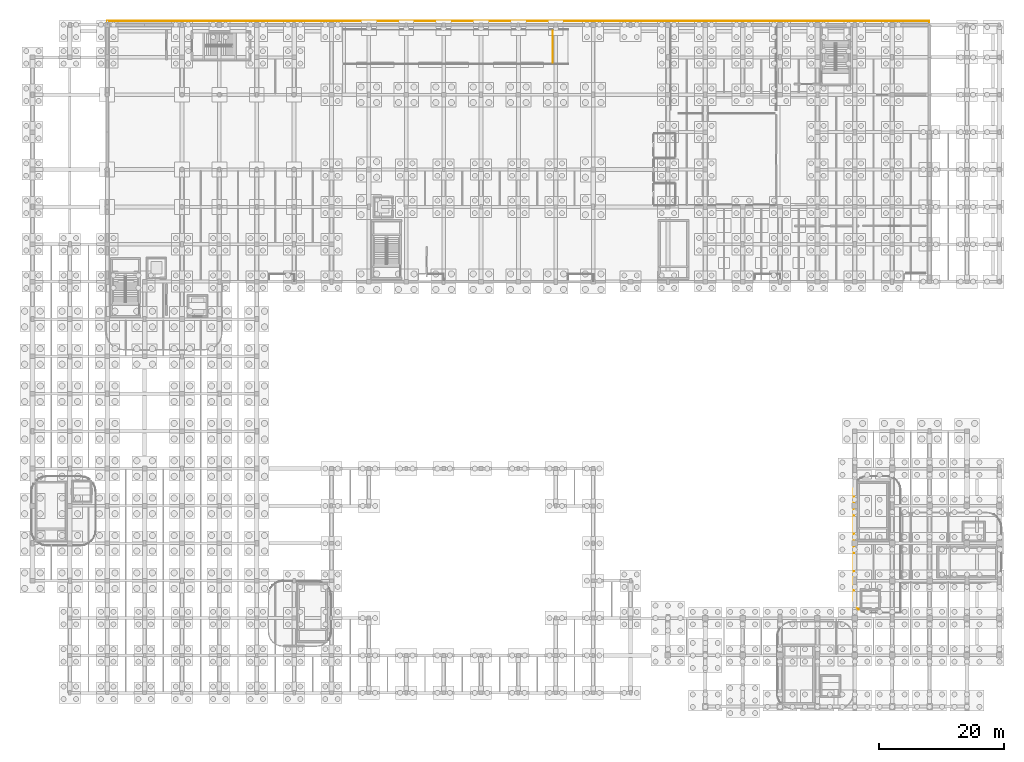
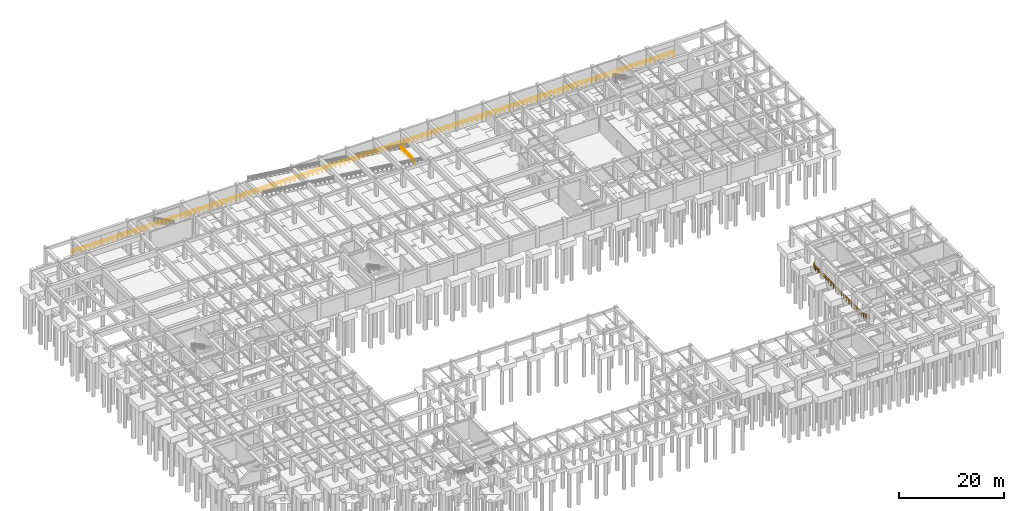
# One storey, part 29 of 32: 3 railings.
"""IFC4 building model written with IfcOpenShell, lengths in metres."""

from ifc_helpers import new_model, si_unit, direction, frame, origin, origin_2d, place, context, subcontext, project, spatial, circle, extrude, material, type_object, element, save


model = new_model("IFC4")

# Units and contexts
model_context = context("Model", 3, precision=1e-05, world=origin(), true_north=direction((0.0, 1.0)))
body_context = subcontext(model_context, "Body", "Model", "MODEL_VIEW")
ifc_project = project(units=[si_unit("LENGTHUNIT", "METRE"), si_unit("AREAUNIT", "SQUARE_METRE"), si_unit("VOLUMEUNIT", "CUBIC_METRE"), si_unit("PLANEANGLEUNIT", "RADIAN"), si_unit("MASSUNIT", "GRAM", prefix="KILO")], contexts=[model_context])

# Site, building, storey
site_placement = place(None, origin())
site = spatial("IfcSite", under=ifc_project, at=site_placement, CompositionType="ELEMENT")
building_placement = place(site_placement, origin())
building = spatial("IfcBuilding", under=site, at=building_placement, Name="Varnakota Square Police Headquarters", CompositionType="ELEMENT")
storey_placement = place(building_placement, frame((0.0, 0.0, -4.5)))
storey = spatial("IfcBuildingStorey", under=building, at=storey_placement, Name="B1", CompositionType="ELEMENT", Elevation=-4.5)

# Railings
ifc_material = material(Name="Galvanised Powder-Coated Steel Guardrail", Category="steel")
railing_type = type_object("IfcRailingType", Name="RL-BAL-1150", PredefinedType="BALUSTRADE", material=ifc_material)
railing_1_placement = place(storey_placement, frame((18.050048828125, 110.85009765625, 0.0)))
element("IfcRailing", 1, at=railing_1_placement, inside=storey, type_object=railing_type, Name="Perimeter edge safety guard GD-AUTO-B1-003", PredefinedType="BALUSTRADE", context=body_context, shape_type="SweptSolid", body=[
    extrude(circle(Radius=0.02392578125, at=origin_2d()), frame((0.0, 0.0, 1.1259765625), z_axis=(1.0, 0.0, 0.0), x_axis=(0.0, 1.0, 0.0)), (0.0, 0.0, 1.0), 131.89990234375),
    extrude(circle(Radius=0.01806640625, at=origin_2d()), frame((0.0, 0.0, 0.63232421875), z_axis=(1.0, 0.0, 0.0), x_axis=(0.0, 1.0, 0.0)), (0.0, 0.0, 1.0), 131.89990234375),
    extrude(circle(Radius=0.02392578125, at=origin_2d()), frame((131.89990234375, 0.0, 1.1259765625), z_axis=(0.0, -1.0, 0.0), x_axis=(1.0, 0.0, 0.0)), (0.0, 0.0, 1.0), 0.300048828125),
    extrude(circle(Radius=0.01806640625, at=origin_2d()), frame((131.89990234375, 0.0, 0.63232421875), z_axis=(0.0, -1.0, 0.0), x_axis=(1.0, 0.0, 0.0)), (0.0, 0.0, 1.0), 0.300048828125),
    extrude(circle(Radius=0.02099609375, at=origin_2d()), origin(), (0.0, 0.0, 1.0), 1.101806640625),
    extrude(circle(Radius=0.02099609375, at=origin_2d()), frame((0.999267578125, 0.0, 0.0)), (0.0, 0.0, 1.0), 1.101806640625),
    extrude(circle(Radius=0.02099609375, at=origin_2d()), frame((1.99853515625, 0.0, 0.0)), (0.0, 0.0, 1.0), 1.101806640625),
    extrude(circle(Radius=0.02099609375, at=origin_2d()), frame((2.997802734375, 0.0, 0.0)), (0.0, 0.0, 1.0), 1.101806640625),
    extrude(circle(Radius=0.02099609375, at=origin_2d()), frame((3.9970703125, 0.0, 0.0)), (0.0, 0.0, 1.0), 1.101806640625),
    extrude(circle(Radius=0.02099609375, at=origin_2d()), frame((4.99609375, 0.0, 0.0)), (0.0, 0.0, 1.0), 1.101806640625),
    extrude(circle(Radius=0.02099609375, at=origin_2d()), frame((5.995361328125, 0.0, 0.0)), (0.0, 0.0, 1.0), 1.101806640625),
    extrude(circle(Radius=0.02099609375, at=origin_2d()), frame((6.99462890625, 0.0, 0.0)), (0.0, 0.0, 1.0), 1.101806640625),
    extrude(circle(Radius=0.02099609375, at=origin_2d()), frame((7.993896484375, 0.0, 0.0)), (0.0, 0.0, 1.0), 1.101806640625),
    extrude(circle(Radius=0.02099609375, at=origin_2d()), frame((8.9931640625, 0.0, 0.0)), (0.0, 0.0, 1.0), 1.101806640625),
    extrude(circle(Radius=0.02099609375, at=origin_2d()), frame((9.992431640625, 0.0, 0.0)), (0.0, 0.0, 1.0), 1.101806640625),
    extrude(circle(Radius=0.02099609375, at=origin_2d()), frame((10.99169921875, 0.0, 0.0)), (0.0, 0.0, 1.0), 1.101806640625),
    extrude(circle(Radius=0.02099609375, at=origin_2d()), frame((11.990966796875, 0.0, 0.0)), (0.0, 0.0, 1.0), 1.101806640625),
    extrude(circle(Radius=0.02099609375, at=origin_2d()), frame((12.990234375, 0.0, 0.0)), (0.0, 0.0, 1.0), 1.101806640625),
    extrude(circle(Radius=0.02099609375, at=origin_2d()), frame((13.989501953125, 0.0, 0.0)), (0.0, 0.0, 1.0), 1.101806640625),
    extrude(circle(Radius=0.02099609375, at=origin_2d()), frame((14.988525390625, 0.0, 0.0)), (0.0, 0.0, 1.0), 1.101806640625),
    extrude(circle(Radius=0.02099609375, at=origin_2d()), frame((15.98779296875, 0.0, 0.0)), (0.0, 0.0, 1.0), 1.101806640625),
    extrude(circle(Radius=0.02099609375, at=origin_2d()), frame((16.987060546875, 0.0, 0.0)), (0.0, 0.0, 1.0), 1.101806640625),
    extrude(circle(Radius=0.02099609375, at=origin_2d()), frame((17.986328125, 0.0, 0.0)), (0.0, 0.0, 1.0), 1.101806640625),
    extrude(circle(Radius=0.02099609375, at=origin_2d()), frame((18.985595703125, 0.0, 0.0)), (0.0, 0.0, 1.0), 1.101806640625),
    extrude(circle(Radius=0.02099609375, at=origin_2d()), frame((19.98486328125, 0.0, 0.0)), (0.0, 0.0, 1.0), 1.101806640625),
    extrude(circle(Radius=0.02099609375, at=origin_2d()), frame((20.984130859375, 0.0, 0.0)), (0.0, 0.0, 1.0), 1.101806640625),
    extrude(circle(Radius=0.02099609375, at=origin_2d()), frame((21.9833984375, 0.0, 0.0)), (0.0, 0.0, 1.0), 1.101806640625),
    extrude(circle(Radius=0.02099609375, at=origin_2d()), frame((22.982666015625, 0.0, 0.0)), (0.0, 0.0, 1.0), 1.101806640625),
    extrude(circle(Radius=0.02099609375, at=origin_2d()), frame((23.981689453125, 0.0, 0.0)), (0.0, 0.0, 1.0), 1.101806640625),
    extrude(circle(Radius=0.02099609375, at=origin_2d()), frame((24.98095703125, 0.0, 0.0)), (0.0, 0.0, 1.0), 1.101806640625),
    extrude(circle(Radius=0.02099609375, at=origin_2d()), frame((25.980224609375, 0.0, 0.0)), (0.0, 0.0, 1.0), 1.101806640625),
    extrude(circle(Radius=0.02099609375, at=origin_2d()), frame((26.9794921875, 0.0, 0.0)), (0.0, 0.0, 1.0), 1.101806640625),
    extrude(circle(Radius=0.02099609375, at=origin_2d()), frame((27.978759765625, 0.0, 0.0)), (0.0, 0.0, 1.0), 1.101806640625),
    extrude(circle(Radius=0.02099609375, at=origin_2d()), frame((28.97802734375, 0.0, 0.0)), (0.0, 0.0, 1.0), 1.101806640625),
    extrude(circle(Radius=0.02099609375, at=origin_2d()), frame((29.977294921875, 0.0, 0.0)), (0.0, 0.0, 1.0), 1.101806640625),
    extrude(circle(Radius=0.02099609375, at=origin_2d()), frame((30.9765625, 0.0, 0.0)), (0.0, 0.0, 1.0), 1.101806640625),
    extrude(circle(Radius=0.02099609375, at=origin_2d()), frame((31.975830078125, 0.0, 0.0)), (0.0, 0.0, 1.0), 1.101806640625),
    extrude(circle(Radius=0.02099609375, at=origin_2d()), frame((32.97509765625, 0.0, 0.0)), (0.0, 0.0, 1.0), 1.101806640625),
    extrude(circle(Radius=0.02099609375, at=origin_2d()), frame((33.97412109375, 0.0, 0.0)), (0.0, 0.0, 1.0), 1.101806640625),
    extrude(circle(Radius=0.02099609375, at=origin_2d()), frame((34.973388671875, 0.0, 0.0)), (0.0, 0.0, 1.0), 1.101806640625),
    extrude(circle(Radius=0.02099609375, at=origin_2d()), frame((35.97265625, 0.0, 0.0)), (0.0, 0.0, 1.0), 1.101806640625),
    extrude(circle(Radius=0.02099609375, at=origin_2d()), frame((36.971923828125, 0.0, 0.0)), (0.0, 0.0, 1.0), 1.101806640625),
    extrude(circle(Radius=0.02099609375, at=origin_2d()), frame((37.97119140625, 0.0, 0.0)), (0.0, 0.0, 1.0), 1.101806640625),
    extrude(circle(Radius=0.02099609375, at=origin_2d()), frame((38.970458984375, 0.0, 0.0)), (0.0, 0.0, 1.0), 1.101806640625),
    extrude(circle(Radius=0.02099609375, at=origin_2d()), frame((39.9697265625, 0.0, 0.0)), (0.0, 0.0, 1.0), 1.101806640625),
    extrude(circle(Radius=0.02099609375, at=origin_2d()), frame((40.968994140625, 0.0, 0.0)), (0.0, 0.0, 1.0), 1.101806640625),
    extrude(circle(Radius=0.02099609375, at=origin_2d()), frame((41.96826171875, 0.0, 0.0)), (0.0, 0.0, 1.0), 1.101806640625),
    extrude(circle(Radius=0.02099609375, at=origin_2d()), frame((42.96728515625, 0.0, 0.0)), (0.0, 0.0, 1.0), 1.101806640625),
    extrude(circle(Radius=0.02099609375, at=origin_2d()), frame((43.966552734375, 0.0, 0.0)), (0.0, 0.0, 1.0), 1.101806640625),
    extrude(circle(Radius=0.02099609375, at=origin_2d()), frame((44.9658203125, 0.0, 0.0)), (0.0, 0.0, 1.0), 1.101806640625),
    extrude(circle(Radius=0.02099609375, at=origin_2d()), frame((45.965087890625, 0.0, 0.0)), (0.0, 0.0, 1.0), 1.101806640625),
    extrude(circle(Radius=0.02099609375, at=origin_2d()), frame((46.96435546875, 0.0, 0.0)), (0.0, 0.0, 1.0), 1.101806640625),
    extrude(circle(Radius=0.02099609375, at=origin_2d()), frame((47.963623046875, 0.0, 0.0)), (0.0, 0.0, 1.0), 1.101806640625),
    extrude(circle(Radius=0.02099609375, at=origin_2d()), frame((48.962890625, 0.0, 0.0)), (0.0, 0.0, 1.0), 1.101806640625),
    extrude(circle(Radius=0.02099609375, at=origin_2d()), frame((49.962158203125, 0.0, 0.0)), (0.0, 0.0, 1.0), 1.101806640625),
    extrude(circle(Radius=0.02099609375, at=origin_2d()), frame((50.96142578125, 0.0, 0.0)), (0.0, 0.0, 1.0), 1.101806640625),
    extrude(circle(Radius=0.02099609375, at=origin_2d()), frame((51.96044921875, 0.0, 0.0)), (0.0, 0.0, 1.0), 1.101806640625),
    extrude(circle(Radius=0.02099609375, at=origin_2d()), frame((52.959716796875, 0.0, 0.0)), (0.0, 0.0, 1.0), 1.101806640625),
    extrude(circle(Radius=0.02099609375, at=origin_2d()), frame((53.958984375, 0.0, 0.0)), (0.0, 0.0, 1.0), 1.101806640625),
    extrude(circle(Radius=0.02099609375, at=origin_2d()), frame((54.958251953125, 0.0, 0.0)), (0.0, 0.0, 1.0), 1.101806640625),
    extrude(circle(Radius=0.02099609375, at=origin_2d()), frame((55.95751953125, 0.0, 0.0)), (0.0, 0.0, 1.0), 1.101806640625),
    extrude(circle(Radius=0.02099609375, at=origin_2d()), frame((56.956787109375, 0.0, 0.0)), (0.0, 0.0, 1.0), 1.101806640625),
    extrude(circle(Radius=0.02099609375, at=origin_2d()), frame((57.9560546875, 0.0, 0.0)), (0.0, 0.0, 1.0), 1.101806640625),
    extrude(circle(Radius=0.02099609375, at=origin_2d()), frame((58.955322265625, 0.0, 0.0)), (0.0, 0.0, 1.0), 1.101806640625),
    extrude(circle(Radius=0.02099609375, at=origin_2d()), frame((59.95458984375, 0.0, 0.0)), (0.0, 0.0, 1.0), 1.101806640625),
    extrude(circle(Radius=0.02099609375, at=origin_2d()), frame((60.953857421875, 0.0, 0.0)), (0.0, 0.0, 1.0), 1.101806640625),
    extrude(circle(Radius=0.02099609375, at=origin_2d()), frame((61.952880859375, 0.0, 0.0)), (0.0, 0.0, 1.0), 1.101806640625),
    extrude(circle(Radius=0.02099609375, at=origin_2d()), frame((62.9521484375, 0.0, 0.0)), (0.0, 0.0, 1.0), 1.101806640625),
    extrude(circle(Radius=0.02099609375, at=origin_2d()), frame((63.951416015625, 0.0, 0.0)), (0.0, 0.0, 1.0), 1.101806640625),
    extrude(circle(Radius=0.02099609375, at=origin_2d()), frame((64.95068359375, 0.0, 0.0)), (0.0, 0.0, 1.0), 1.101806640625),
    extrude(circle(Radius=0.02099609375, at=origin_2d()), frame((65.949951171875, 0.0, 0.0)), (0.0, 0.0, 1.0), 1.101806640625),
    extrude(circle(Radius=0.02099609375, at=origin_2d()), frame((66.94921875, 0.0, 0.0)), (0.0, 0.0, 1.0), 1.101806640625),
    extrude(circle(Radius=0.02099609375, at=origin_2d()), frame((67.948486328125, 0.0, 0.0)), (0.0, 0.0, 1.0), 1.101806640625),
    extrude(circle(Radius=0.02099609375, at=origin_2d()), frame((68.94775390625, 0.0, 0.0)), (0.0, 0.0, 1.0), 1.101806640625),
    extrude(circle(Radius=0.02099609375, at=origin_2d()), frame((69.947021484375, 0.0, 0.0)), (0.0, 0.0, 1.0), 1.101806640625),
    extrude(circle(Radius=0.02099609375, at=origin_2d()), frame((70.946044921875, 0.0, 0.0)), (0.0, 0.0, 1.0), 1.101806640625),
    extrude(circle(Radius=0.02099609375, at=origin_2d()), frame((71.9453125, 0.0, 0.0)), (0.0, 0.0, 1.0), 1.101806640625),
    extrude(circle(Radius=0.02099609375, at=origin_2d()), frame((72.944580078125, 0.0, 0.0)), (0.0, 0.0, 1.0), 1.101806640625),
    extrude(circle(Radius=0.02099609375, at=origin_2d()), frame((73.94384765625, 0.0, 0.0)), (0.0, 0.0, 1.0), 1.101806640625),
    extrude(circle(Radius=0.02099609375, at=origin_2d()), frame((74.943115234375, 0.0, 0.0)), (0.0, 0.0, 1.0), 1.101806640625),
    extrude(circle(Radius=0.02099609375, at=origin_2d()), frame((75.9423828125, 0.0, 0.0)), (0.0, 0.0, 1.0), 1.101806640625),
    extrude(circle(Radius=0.02099609375, at=origin_2d()), frame((76.941650390625, 0.0, 0.0)), (0.0, 0.0, 1.0), 1.101806640625),
    extrude(circle(Radius=0.02099609375, at=origin_2d()), frame((77.94091796875, 0.0, 0.0)), (0.0, 0.0, 1.0), 1.101806640625),
    extrude(circle(Radius=0.02099609375, at=origin_2d()), frame((78.940185546875, 0.0, 0.0)), (0.0, 0.0, 1.0), 1.101806640625),
    extrude(circle(Radius=0.02099609375, at=origin_2d()), frame((79.939453125, 0.0, 0.0)), (0.0, 0.0, 1.0), 1.101806640625),
    extrude(circle(Radius=0.02099609375, at=origin_2d()), frame((80.9384765625, 0.0, 0.0)), (0.0, 0.0, 1.0), 1.101806640625),
    extrude(circle(Radius=0.02099609375, at=origin_2d()), frame((81.937744140625, 0.0, 0.0)), (0.0, 0.0, 1.0), 1.101806640625),
    extrude(circle(Radius=0.02099609375, at=origin_2d()), frame((82.93701171875, 0.0, 0.0)), (0.0, 0.0, 1.0), 1.101806640625),
    extrude(circle(Radius=0.02099609375, at=origin_2d()), frame((83.936279296875, 0.0, 0.0)), (0.0, 0.0, 1.0), 1.101806640625),
    extrude(circle(Radius=0.02099609375, at=origin_2d()), frame((84.935546875, 0.0, 0.0)), (0.0, 0.0, 1.0), 1.101806640625),
    extrude(circle(Radius=0.02099609375, at=origin_2d()), frame((85.934814453125, 0.0, 0.0)), (0.0, 0.0, 1.0), 1.101806640625),
    extrude(circle(Radius=0.02099609375, at=origin_2d()), frame((86.93408203125, 0.0, 0.0)), (0.0, 0.0, 1.0), 1.101806640625),
    extrude(circle(Radius=0.02099609375, at=origin_2d()), frame((87.933349609375, 0.0, 0.0)), (0.0, 0.0, 1.0), 1.101806640625),
    extrude(circle(Radius=0.02099609375, at=origin_2d()), frame((88.9326171875, 0.0, 0.0)), (0.0, 0.0, 1.0), 1.101806640625),
    extrude(circle(Radius=0.02099609375, at=origin_2d()), frame((89.931640625, 0.0, 0.0)), (0.0, 0.0, 1.0), 1.101806640625),
    extrude(circle(Radius=0.02099609375, at=origin_2d()), frame((90.930908203125, 0.0, 0.0)), (0.0, 0.0, 1.0), 1.101806640625),
    extrude(circle(Radius=0.02099609375, at=origin_2d()), frame((91.93017578125, 0.0, 0.0)), (0.0, 0.0, 1.0), 1.101806640625),
    extrude(circle(Radius=0.02099609375, at=origin_2d()), frame((92.929443359375, 0.0, 0.0)), (0.0, 0.0, 1.0), 1.101806640625),
    extrude(circle(Radius=0.02099609375, at=origin_2d()), frame((93.9287109375, 0.0, 0.0)), (0.0, 0.0, 1.0), 1.101806640625),
    extrude(circle(Radius=0.02099609375, at=origin_2d()), frame((94.927978515625, 0.0, 0.0)), (0.0, 0.0, 1.0), 1.101806640625),
    extrude(circle(Radius=0.02099609375, at=origin_2d()), frame((95.92724609375, 0.0, 0.0)), (0.0, 0.0, 1.0), 1.101806640625),
    extrude(circle(Radius=0.02099609375, at=origin_2d()), frame((96.926513671875, 0.0, 0.0)), (0.0, 0.0, 1.0), 1.101806640625),
    extrude(circle(Radius=0.02099609375, at=origin_2d()), frame((97.92578125, 0.0, 0.0)), (0.0, 0.0, 1.0), 1.101806640625),
    extrude(circle(Radius=0.02099609375, at=origin_2d()), frame((98.9248046875, 0.0, 0.0)), (0.0, 0.0, 1.0), 1.101806640625),
    extrude(circle(Radius=0.02099609375, at=origin_2d()), frame((99.924072265625, 0.0, 0.0)), (0.0, 0.0, 1.0), 1.101806640625),
    extrude(circle(Radius=0.02099609375, at=origin_2d()), frame((100.92333984375, 0.0, 0.0)), (0.0, 0.0, 1.0), 1.101806640625),
    extrude(circle(Radius=0.02099609375, at=origin_2d()), frame((101.922607421875, 0.0, 0.0)), (0.0, 0.0, 1.0), 1.101806640625),
    extrude(circle(Radius=0.02099609375, at=origin_2d()), frame((102.921875, 0.0, 0.0)), (0.0, 0.0, 1.0), 1.101806640625),
    extrude(circle(Radius=0.02099609375, at=origin_2d()), frame((103.921142578125, 0.0, 0.0)), (0.0, 0.0, 1.0), 1.101806640625),
    extrude(circle(Radius=0.02099609375, at=origin_2d()), frame((104.92041015625, 0.0, 0.0)), (0.0, 0.0, 1.0), 1.101806640625),
    extrude(circle(Radius=0.02099609375, at=origin_2d()), frame((105.919677734375, 0.0, 0.0)), (0.0, 0.0, 1.0), 1.101806640625),
    extrude(circle(Radius=0.02099609375, at=origin_2d()), frame((106.9189453125, 0.0, 0.0)), (0.0, 0.0, 1.0), 1.101806640625),
    extrude(circle(Radius=0.02099609375, at=origin_2d()), frame((107.918212890625, 0.0, 0.0)), (0.0, 0.0, 1.0), 1.101806640625),
    extrude(circle(Radius=0.02099609375, at=origin_2d()), frame((108.917236328125, 0.0, 0.0)), (0.0, 0.0, 1.0), 1.101806640625),
    extrude(circle(Radius=0.02099609375, at=origin_2d()), frame((109.91650390625, 0.0, 0.0)), (0.0, 0.0, 1.0), 1.101806640625),
    extrude(circle(Radius=0.02099609375, at=origin_2d()), frame((110.915771484375, 0.0, 0.0)), (0.0, 0.0, 1.0), 1.101806640625),
    extrude(circle(Radius=0.02099609375, at=origin_2d()), frame((111.9150390625, 0.0, 0.0)), (0.0, 0.0, 1.0), 1.101806640625),
    extrude(circle(Radius=0.02099609375, at=origin_2d()), frame((112.914306640625, 0.0, 0.0)), (0.0, 0.0, 1.0), 1.101806640625),
    extrude(circle(Radius=0.02099609375, at=origin_2d()), frame((113.91357421875, 0.0, 0.0)), (0.0, 0.0, 1.0), 1.101806640625),
    extrude(circle(Radius=0.02099609375, at=origin_2d()), frame((114.912841796875, 0.0, 0.0)), (0.0, 0.0, 1.0), 1.101806640625),
    extrude(circle(Radius=0.02099609375, at=origin_2d()), frame((115.912109375, 0.0, 0.0)), (0.0, 0.0, 1.0), 1.101806640625),
    extrude(circle(Radius=0.02099609375, at=origin_2d()), frame((116.911376953125, 0.0, 0.0)), (0.0, 0.0, 1.0), 1.101806640625),
    extrude(circle(Radius=0.02099609375, at=origin_2d()), frame((117.910400390625, 0.0, 0.0)), (0.0, 0.0, 1.0), 1.101806640625),
    extrude(circle(Radius=0.02099609375, at=origin_2d()), frame((118.90966796875, 0.0, 0.0)), (0.0, 0.0, 1.0), 1.101806640625),
    extrude(circle(Radius=0.02099609375, at=origin_2d()), frame((119.908935546875, 0.0, 0.0)), (0.0, 0.0, 1.0), 1.101806640625),
    extrude(circle(Radius=0.02099609375, at=origin_2d()), frame((120.908203125, 0.0, 0.0)), (0.0, 0.0, 1.0), 1.101806640625),
    extrude(circle(Radius=0.02099609375, at=origin_2d()), frame((121.907470703125, 0.0, 0.0)), (0.0, 0.0, 1.0), 1.101806640625),
    extrude(circle(Radius=0.02099609375, at=origin_2d()), frame((122.90673828125, 0.0, 0.0)), (0.0, 0.0, 1.0), 1.101806640625),
    extrude(circle(Radius=0.02099609375, at=origin_2d()), frame((123.906005859375, 0.0, 0.0)), (0.0, 0.0, 1.0), 1.101806640625),
    extrude(circle(Radius=0.02099609375, at=origin_2d()), frame((124.9052734375, 0.0, 0.0)), (0.0, 0.0, 1.0), 1.101806640625),
    extrude(circle(Radius=0.02099609375, at=origin_2d()), frame((125.904541015625, 0.0, 0.0)), (0.0, 0.0, 1.0), 1.101806640625),
    extrude(circle(Radius=0.02099609375, at=origin_2d()), frame((126.90380859375, 0.0, 0.0)), (0.0, 0.0, 1.0), 1.101806640625),
    extrude(circle(Radius=0.02099609375, at=origin_2d()), frame((127.90283203125, 0.0, 0.0)), (0.0, 0.0, 1.0), 1.101806640625),
    extrude(circle(Radius=0.02099609375, at=origin_2d()), frame((128.902099609375, 0.0, 0.0)), (0.0, 0.0, 1.0), 1.101806640625),
    extrude(circle(Radius=0.02099609375, at=origin_2d()), frame((129.9013671875, 0.0, 0.0)), (0.0, 0.0, 1.0), 1.101806640625),
    extrude(circle(Radius=0.02099609375, at=origin_2d()), frame((130.900634765625, 0.0, 0.0)), (0.0, 0.0, 1.0), 1.101806640625),
    extrude(circle(Radius=0.02099609375, at=origin_2d()), frame((131.89990234375, 0.0, 0.0)), (0.0, 0.0, 1.0), 1.101806640625),
    extrude(circle(Radius=0.02099609375, at=origin_2d()), frame((131.89990234375, -0.300048828125, 0.0)), (0.0, 0.0, 1.0), 1.101806640625),
])
railing_2_placement = place(storey_placement, frame((89.5, 109.239990234375, 0.0)))
element("IfcRailing", 2, at=railing_2_placement, inside=storey, type_object=railing_type, Name="Perimeter edge safety guard GD-AUTO-B1-012", PredefinedType="BALUSTRADE", context=body_context, shape_type="SweptSolid", body=[
    extrude(circle(Radius=0.02392578125, at=origin_2d()), frame((0.0, 0.0, 1.1259765625), z_axis=(0.0, -1.0, 0.0), x_axis=(1.0, 0.0, 0.0)), (0.0, 0.0, 1.0), 5.080078125),
    extrude(circle(Radius=0.01806640625, at=origin_2d()), frame((0.0, 0.0, 0.63232421875), z_axis=(0.0, -1.0, 0.0), x_axis=(1.0, 0.0, 0.0)), (0.0, 0.0, 1.0), 5.080078125),
    extrude(circle(Radius=0.02099609375, at=origin_2d()), origin(), (0.0, 0.0, 1.0), 1.101806640625),
    extrude(circle(Radius=0.02099609375, at=origin_2d()), frame((0.0, -0.8466796875, 0.0)), (0.0, 0.0, 1.0), 1.101806640625),
    extrude(circle(Radius=0.02099609375, at=origin_2d()), frame((0.0, -1.693359375, 0.0)), (0.0, 0.0, 1.0), 1.101806640625),
    extrude(circle(Radius=0.02099609375, at=origin_2d()), frame((0.0, -2.5400390625, 0.0)), (0.0, 0.0, 1.0), 1.101806640625),
    extrude(circle(Radius=0.02099609375, at=origin_2d()), frame((0.0, -3.38671875, 0.0)), (0.0, 0.0, 1.0), 1.101806640625),
    extrude(circle(Radius=0.02099609375, at=origin_2d()), frame((0.0, -4.2333984375, 0.0)), (0.0, 0.0, 1.0), 1.101806640625),
    extrude(circle(Radius=0.02099609375, at=origin_2d()), frame((0.0, -5.080078125, 0.0)), (0.0, 0.0, 1.0), 1.101806640625),
])
railing_3_placement = place(storey_placement, frame((138.62744140625, 16.366943359375, 0.0)))
element("IfcRailing", 3, at=railing_3_placement, inside=storey, type_object=railing_type, Name="Perimeter edge safety guard GD-AUTO-B1-014", PredefinedType="BALUSTRADE", context=body_context, shape_type="SweptSolid", body=[
    extrude(circle(Radius=0.02392578125, at=origin_2d()), frame((0.0, 0.0, 1.1259765625), z_axis=(-0.793648657093, 0.608376371249, 0.0), x_axis=(-0.608376371249, -0.793648657093, 0.0)), (0.0, 0.0, 1.0), 0.185791015625),
    extrude(circle(Radius=0.01806640625, at=origin_2d()), frame((0.0, 0.0, 0.63232421875), z_axis=(-0.793648657093, 0.608376371249, 0.0), x_axis=(-0.608376371249, -0.793648657093, 0.0)), (0.0, 0.0, 1.0), 0.185791015625),
    extrude(circle(Radius=0.02392578125, at=origin_2d()), frame((-0.1474609375, 0.113037109375, 1.1259765625), z_axis=(-0.608595919641, 0.793480312671, 0.0), x_axis=(-0.793480312671, -0.608595919641, 0.0)), (0.0, 0.0, 1.0), 0.561279296875),
    extrude(circle(Radius=0.01806640625, at=origin_2d()), frame((-0.1474609375, 0.113037109375, 0.63232421875), z_axis=(-0.608595919641, 0.793480312671, 0.0), x_axis=(-0.793480312671, -0.608595919641, 0.0)), (0.0, 0.0, 1.0), 0.561279296875),
    extrude(circle(Radius=0.02392578125, at=origin_2d()), frame((-0.489013671875, 0.558349609375, 1.1259765625), z_axis=(-0.382915404156, 0.923783412527, 0.0), x_axis=(-0.923783412527, -0.382915404156, 0.0)), (0.0, 0.0, 1.0), 0.56103515625),
    extrude(circle(Radius=0.01806640625, at=origin_2d()), frame((-0.489013671875, 0.558349609375, 0.63232421875), z_axis=(-0.382915404156, 0.923783412527, 0.0), x_axis=(-0.923783412527, -0.382915404156, 0.0)), (0.0, 0.0, 1.0), 0.56103515625),
    extrude(circle(Radius=0.02392578125, at=origin_2d()), frame((-0.703857421875, 1.07666015625, 1.1259765625), z_axis=(-0.130152503284, 0.991493986814, 0.0), x_axis=(-0.991493986814, -0.130152503284, 0.0)), (0.0, 0.0, 1.0), 0.564697265625),
    extrude(circle(Radius=0.01806640625, at=origin_2d()), frame((-0.703857421875, 1.07666015625, 0.63232421875), z_axis=(-0.130152503284, 0.991493986814, 0.0), x_axis=(-0.991493986814, -0.130152503284, 0.0)), (0.0, 0.0, 1.0), 0.564697265625),
    extrude(circle(Radius=0.02392578125, at=origin_2d()), frame((-0.77734375, 1.636474609375, 1.1259765625), z_axis=(0.0, 1.0, 0.0), x_axis=(-1.0, 0.0, 0.0)), (0.0, 0.0, 1.0), 17.59326171875),
    extrude(circle(Radius=0.01806640625, at=origin_2d()), frame((-0.77734375, 1.636474609375, 0.63232421875), z_axis=(0.0, 1.0, 0.0), x_axis=(-1.0, 0.0, 0.0)), (0.0, 0.0, 1.0), 17.59326171875),
    extrude(circle(Radius=0.02392578125, at=origin_2d()), frame((-0.77734375, 19.229736328125, 1.1259765625), z_axis=(0.130208326296, 0.99148665738, 0.0), x_axis=(-0.99148665738, 0.130208326296, 0.0)), (0.0, 0.0, 1.0), 0.564453125),
    extrude(circle(Radius=0.01806640625, at=origin_2d()), frame((-0.77734375, 19.229736328125, 0.63232421875), z_axis=(0.130208326296, 0.99148665738, 0.0), x_axis=(-0.99148665738, 0.130208326296, 0.0)), (0.0, 0.0, 1.0), 0.564453125),
    extrude(circle(Radius=0.02392578125, at=origin_2d()), frame((-0.703857421875, 19.789306640625, 1.1259765625), z_axis=(0.382761541363, 0.923847174836, 0.0), x_axis=(-0.923847174836, 0.382761541363, 0.0)), (0.0, 0.0, 1.0), 0.561279296875),
    extrude(circle(Radius=0.01806640625, at=origin_2d()), frame((-0.703857421875, 19.789306640625, 0.63232421875), z_axis=(0.382761541363, 0.923847174836, 0.0), x_axis=(-0.923847174836, 0.382761541363, 0.0)), (0.0, 0.0, 1.0), 0.561279296875),
    extrude(circle(Radius=0.02099609375, at=origin_2d()), origin(), (0.0, 0.0, 1.0), 1.101806640625),
    extrude(circle(Radius=0.02099609375, at=origin_2d()), frame((-0.1474609375, 0.113037109375, 0.0)), (0.0, 0.0, 1.0), 1.101806640625),
    extrude(circle(Radius=0.02099609375, at=origin_2d()), frame((-0.489013671875, 0.558349609375, 0.0)), (0.0, 0.0, 1.0), 1.101806640625),
    extrude(circle(Radius=0.02099609375, at=origin_2d()), frame((-0.703857421875, 1.07666015625, 0.0)), (0.0, 0.0, 1.0), 1.101806640625),
    extrude(circle(Radius=0.02099609375, at=origin_2d()), frame((-0.77734375, 1.636474609375, 0.0)), (0.0, 0.0, 1.0), 1.101806640625),
    extrude(circle(Radius=0.02099609375, at=origin_2d()), frame((-0.77734375, 2.61376953125, 0.0)), (0.0, 0.0, 1.0), 1.101806640625),
    extrude(circle(Radius=0.02099609375, at=origin_2d()), frame((-0.77734375, 3.59130859375, 0.0)), (0.0, 0.0, 1.0), 1.101806640625),
    extrude(circle(Radius=0.02099609375, at=origin_2d()), frame((-0.77734375, 4.568603515625, 0.0)), (0.0, 0.0, 1.0), 1.101806640625),
    extrude(circle(Radius=0.02099609375, at=origin_2d()), frame((-0.77734375, 5.546142578125, 0.0)), (0.0, 0.0, 1.0), 1.101806640625),
    extrude(circle(Radius=0.02099609375, at=origin_2d()), frame((-0.77734375, 6.5234375, 0.0)), (0.0, 0.0, 1.0), 1.101806640625),
    extrude(circle(Radius=0.02099609375, at=origin_2d()), frame((-0.77734375, 7.5009765625, 0.0)), (0.0, 0.0, 1.0), 1.101806640625),
    extrude(circle(Radius=0.02099609375, at=origin_2d()), frame((-0.77734375, 8.478271484375, 0.0)), (0.0, 0.0, 1.0), 1.101806640625),
    extrude(circle(Radius=0.02099609375, at=origin_2d()), frame((-0.77734375, 9.455810546875, 0.0)), (0.0, 0.0, 1.0), 1.101806640625),
    extrude(circle(Radius=0.02099609375, at=origin_2d()), frame((-0.77734375, 10.43310546875, 0.0)), (0.0, 0.0, 1.0), 1.101806640625),
    extrude(circle(Radius=0.02099609375, at=origin_2d()), frame((-0.77734375, 11.410400390625, 0.0)), (0.0, 0.0, 1.0), 1.101806640625),
    extrude(circle(Radius=0.02099609375, at=origin_2d()), frame((-0.77734375, 12.387939453125, 0.0)), (0.0, 0.0, 1.0), 1.101806640625),
    extrude(circle(Radius=0.02099609375, at=origin_2d()), frame((-0.77734375, 13.365234375, 0.0)), (0.0, 0.0, 1.0), 1.101806640625),
    extrude(circle(Radius=0.02099609375, at=origin_2d()), frame((-0.77734375, 14.3427734375, 0.0)), (0.0, 0.0, 1.0), 1.101806640625),
    extrude(circle(Radius=0.02099609375, at=origin_2d()), frame((-0.77734375, 15.320068359375, 0.0)), (0.0, 0.0, 1.0), 1.101806640625),
    extrude(circle(Radius=0.02099609375, at=origin_2d()), frame((-0.77734375, 16.297607421875, 0.0)), (0.0, 0.0, 1.0), 1.101806640625),
    extrude(circle(Radius=0.02099609375, at=origin_2d()), frame((-0.77734375, 17.27490234375, 0.0)), (0.0, 0.0, 1.0), 1.101806640625),
    extrude(circle(Radius=0.02099609375, at=origin_2d()), frame((-0.77734375, 18.25244140625, 0.0)), (0.0, 0.0, 1.0), 1.101806640625),
    extrude(circle(Radius=0.02099609375, at=origin_2d()), frame((-0.77734375, 19.229736328125, 0.0)), (0.0, 0.0, 1.0), 1.101806640625),
    extrude(circle(Radius=0.02099609375, at=origin_2d()), frame((-0.703857421875, 19.789306640625, 0.0)), (0.0, 0.0, 1.0), 1.101806640625),
    extrude(circle(Radius=0.02099609375, at=origin_2d()), frame((-0.489013671875, 20.307861328125, 0.0)), (0.0, 0.0, 1.0), 1.101806640625),
])

save(model, "model.ifc")
